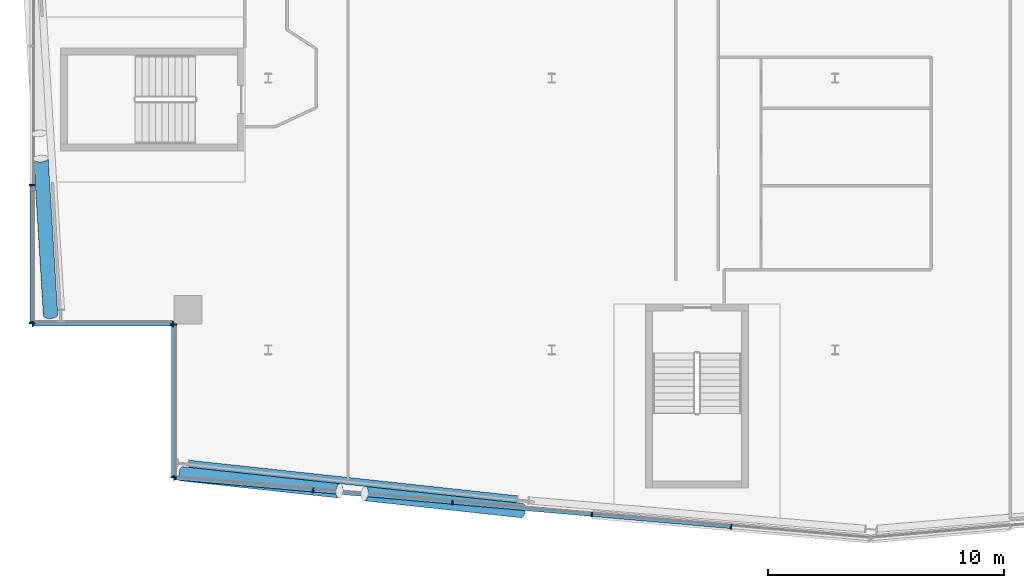
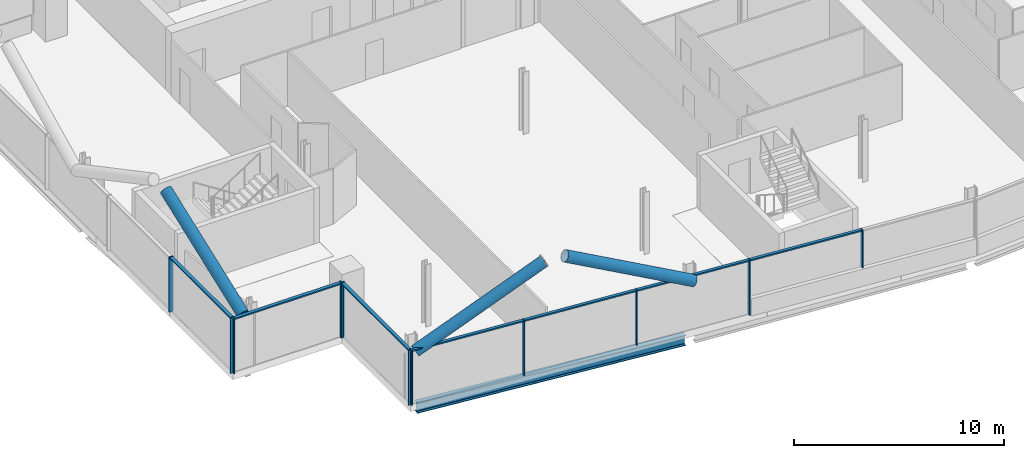
# One storey, part 5 of 25: 21 members, 1 beam, 4 elements without a shape of their own.
"""IFC4 building model written with IfcOpenShell, lengths in metres."""

from ifc_helpers import new_model, si_unit, direction, frame, origin, origin_2d, place, context, subcontext, project, spatial, rectangle, hollow_circle, i_section, extrude, material, material_profile, profile_set, type_object, element, aggregate, save


model = new_model("IFC4")

# Units and contexts
model_context = context("Model", 3, precision=1e-05, world=origin(), true_north=direction((0.0, 1.0)))
body_context = subcontext(model_context, "Body", "Model", "MODEL_VIEW")
ifc_project = project(units=[si_unit("LENGTHUNIT", "METRE"), si_unit("AREAUNIT", "SQUARE_METRE"), si_unit("VOLUMEUNIT", "CUBIC_METRE"), si_unit("PLANEANGLEUNIT", "RADIAN"), si_unit("MASSUNIT", "GRAM", prefix="KILO")], contexts=[model_context])

# Site, building, storey
site_placement = place(None, origin())
site = spatial("IfcSite", under=ifc_project, at=site_placement, CompositionType="ELEMENT")
building_placement = place(site_placement, origin())
building = spatial("IfcBuilding", under=site, at=building_placement, Name="Wharfspan Tower", CompositionType="ELEMENT")
storey_placement = place(building_placement, frame((0.0, 0.0, 232.300049)))
storey = spatial("IfcBuildingStorey", under=building, at=storey_placement, Name="L58", CompositionType="ELEMENT", Elevation=232.300049)

# Beam
ifc_material_1 = material(Name="Steel S355J2", Category="steel")
ifc_material_profile_1 = material_profile(ifc_material_1, i_section(OverallWidth=0.300049, OverallDepth=0.600098, WebThickness=0.015381, FlangeThickness=0.030029, FilletRadius=0.0271, at=origin_2d()))
ifc_profile_set_1 = profile_set([ifc_material_profile_1], Name="Steel S355J2")
beam_type = type_object("IfcBeamType", Name="Edge beam HEB 600", PredefinedType="SPANDREL", material=ifc_profile_set_1)
beam_placement = place(storey_placement, frame((20.648682, 6.674805, -0.699951), z_axis=(0.99418, -0.107732, 0.0), x_axis=(0.107732, 0.99418, 0.0)))
element("IfcBeam", 1, at=beam_placement, inside=storey, type_object=beam_type, Name="Edge beam S1 L58 PS1.1 to PS1.2", PredefinedType="SPANDREL", context=body_context, shape_type="SweptSolid", body=[
    extrude(i_section(OverallWidth=0.300049, OverallDepth=0.600098, WebThickness=0.015381, FlangeThickness=0.030029, FilletRadius=0.0271, at=origin_2d()), origin(), (0.0, 0.0, 1.0), 13.95752),
])

# Curtain wall, members
ifc_material_2 = material(Name="Aluminium 6063-T6", Category="aluminium")
curtain_wall_type_1 = type_object("IfcCurtainWallType", Name="CURTAIN WALL FACETED FRONT", PredefinedType="NOTDEFINED", material=ifc_material_2)
curtain_wall_1_placement = place(storey_placement, origin())
curtain_wall_1 = element("IfcCurtainWall", 2, at=curtain_wall_1_placement, inside=storey, type_object=curtain_wall_type_1, Name="Curtain wall S1", PredefinedType="NOTDEFINED")
ifc_material_profile_2 = material_profile(ifc_material_2, rectangle(XDim=0.199951, YDim=0.060059, at=origin_2d()))
ifc_profile_set_2 = profile_set([ifc_material_profile_2], Name="Aluminium 6063-T6")
member_type_1 = type_object("IfcMemberType", Name="MULLION FACETED FRONT 60x200", PredefinedType="MULLION", material=ifc_profile_set_2)
member_1_placement = place(storey_placement, frame((20.029785, 6.07251, 0.0), z_axis=(0.0, 0.0, 1.0), x_axis=(0.087156, 0.996197, 0.0)))
member_1 = element("IfcMember", 3, at=member_1_placement, type_object=member_type_1, Name="Curtain wall S1 mullion 1", PredefinedType="MULLION", context=body_context, shape_type="SweptSolid", body=[
    extrude(rectangle(XDim=0.199951, YDim=0.060059, at=origin_2d()), origin(), (0.0, 0.0, 1.0), 3.199951),
])
member_2_placement = place(storey_placement, frame((25.899902, 5.558838, 0.0), z_axis=(0.0, 0.0, 1.0), x_axis=(0.087156, 0.996197, 0.0)))
member_2 = element("IfcMember", 4, at=member_2_placement, type_object=member_type_1, Name="Curtain wall S1 mullion 2", PredefinedType="MULLION", context=body_context, shape_type="SweptSolid", body=[
    extrude(rectangle(XDim=0.199951, YDim=0.060059, at=origin_2d()), origin(), (0.0, 0.0, 1.0), 3.199951),
])
member_3_placement = place(storey_placement, frame((31.800049, 5.042725, 0.0), z_axis=(0.0, 0.0, 1.0), x_axis=(0.087156, 0.996197, 0.0)))
member_3 = element("IfcMember", 5, at=member_3_placement, type_object=member_type_1, Name="Curtain wall S1 mullion 3", PredefinedType="MULLION", context=body_context, shape_type="SweptSolid", body=[
    extrude(rectangle(XDim=0.199951, YDim=0.060059, at=origin_2d()), origin(), (0.0, 0.0, 1.0), 3.199951),
])
member_4_placement = place(storey_placement, frame((37.699951, 4.526611, 0.0), z_axis=(0.0, 0.0, 1.0), x_axis=(0.087156, 0.996197, 0.0)))
member_4 = element("IfcMember", 6, at=member_4_placement, type_object=member_type_1, Name="Curtain wall S1 mullion 4", PredefinedType="MULLION", context=body_context, shape_type="SweptSolid", body=[
    extrude(rectangle(XDim=0.199951, YDim=0.060059, at=origin_2d()), origin(), (0.0, 0.0, 1.0), 3.199951),
])
member_5_placement = place(storey_placement, frame((43.600098, 4.010254, 1.0), z_axis=(0.0, 0.0, 1.0), x_axis=(0.087156, 0.996197, 0.0)))
member_5 = element("IfcMember", 7, at=member_5_placement, type_object=member_type_1, Name="Curtain wall S1 mullion 5", PredefinedType="MULLION", context=body_context, shape_type="SweptSolid", body=[
    extrude(rectangle(XDim=0.199951, YDim=0.060059, at=origin_2d()), origin(), (0.0, 0.0, 1.0), 2.199951),
])

curtain_wall_type_2 = type_object("IfcCurtainWallType", Name="CURTAIN WALL PROW AND END", PredefinedType="NOTDEFINED", material=ifc_material_2)
curtain_wall_2_placement = place(storey_placement, origin())
curtain_wall_2 = element("IfcCurtainWall", 8, at=curtain_wall_2_placement, inside=storey, type_object=curtain_wall_type_2, Name="Curtain wall W", PredefinedType="NOTDEFINED")
ifc_material_profile_3 = material_profile(ifc_material_2, rectangle(XDim=0.23999, YDim=0.060059, at=origin_2d()))
ifc_profile_set_3 = profile_set([ifc_material_profile_3], Name="Aluminium 6063-T6")
member_type_2 = type_object("IfcMemberType", Name="MULLION PROW AND END 60x240", PredefinedType="MULLION", material=ifc_profile_set_3)
member_6_placement = place(storey_placement, frame((14.0, 18.47998, 0.0), z_axis=(0.0, 0.0, 1.0), x_axis=(1.0, 0.0, 0.0)))
member_6 = element("IfcMember", 9, at=member_6_placement, type_object=member_type_2, Name="Curtain wall W mullion 5", PredefinedType="MULLION", context=body_context, shape_type="SweptSolid", body=[
    extrude(rectangle(XDim=0.23999, YDim=0.060059, at=origin_2d()), origin(), (0.0, 0.0, 1.0), 3.199951),
])
member_7_placement = place(storey_placement, frame((14.0, 12.629883, 0.0), z_axis=(0.0, 0.0, 1.0), x_axis=(1.0, 0.0, 0.0)))
member_7 = element("IfcMember", 10, at=member_7_placement, type_object=member_type_2, Name="Curtain wall W mullion 6", PredefinedType="MULLION", context=body_context, shape_type="SweptSolid", body=[
    extrude(rectangle(XDim=0.23999, YDim=0.060059, at=origin_2d()), origin(), (0.0, 0.0, 1.0), 3.199951),
])

curtain_wall_3_placement = place(storey_placement, origin())
curtain_wall_3 = element("IfcCurtainWall", 11, at=curtain_wall_3_placement, inside=storey, type_object=curtain_wall_type_2, Name="Curtain wall NFW-H", PredefinedType="NOTDEFINED")
member_8_placement = place(storey_placement, frame((14.030029, 12.600098, 0.0), z_axis=(0.0, 0.0, 1.0), x_axis=(0.0, 1.0, 0.0)))
member_8 = element("IfcMember", 12, at=member_8_placement, type_object=member_type_2, Name="Curtain wall NFW-H mullion 1", PredefinedType="MULLION", context=body_context, shape_type="SweptSolid", body=[
    extrude(rectangle(XDim=0.23999, YDim=0.060059, at=origin_2d()), origin(), (0.0, 0.0, 1.0), 3.199951),
])
member_9_placement = place(storey_placement, frame((19.969971, 12.600098, 0.0), z_axis=(0.0, 0.0, 1.0), x_axis=(0.0, 1.0, 0.0)))
member_9 = element("IfcMember", 13, at=member_9_placement, type_object=member_type_2, Name="Curtain wall NFW-H mullion 2", PredefinedType="MULLION", context=body_context, shape_type="SweptSolid", body=[
    extrude(rectangle(XDim=0.23999, YDim=0.060059, at=origin_2d()), origin(), (0.0, 0.0, 1.0), 3.199951),
])

curtain_wall_4_placement = place(storey_placement, origin())
curtain_wall_4 = element("IfcCurtainWall", 14, at=curtain_wall_4_placement, inside=storey, type_object=curtain_wall_type_2, Name="Curtain wall NFW-V", PredefinedType="NOTDEFINED")
member_10_placement = place(storey_placement, frame((20.0, 12.570068, 0.0), z_axis=(0.0, 0.0, 1.0), x_axis=(1.0, 0.0, 0.0)))
member_10 = element("IfcMember", 15, at=member_10_placement, type_object=member_type_2, Name="Curtain wall NFW-V mullion 1", PredefinedType="MULLION", context=body_context, shape_type="SweptSolid", body=[
    extrude(rectangle(XDim=0.23999, YDim=0.060059, at=origin_2d()), origin(), (0.0, 0.0, 1.0), 3.199951),
])
member_11_placement = place(storey_placement, frame((20.0, 6.10498, 0.0), z_axis=(0.0, 0.0, 1.0), x_axis=(1.0, 0.0, 0.0)))
member_11 = element("IfcMember", 16, at=member_11_placement, type_object=member_type_2, Name="Curtain wall NFW-V mullion 2", PredefinedType="MULLION", context=body_context, shape_type="SweptSolid", body=[
    extrude(rectangle(XDim=0.23999, YDim=0.060059, at=origin_2d()), origin(), (0.0, 0.0, 1.0), 3.199951),
])

# Members
ifc_material_3 = material(Name="Steel S460NH", Category="steel")
ifc_material_profile_4 = material_profile(ifc_material_3, hollow_circle(Radius=0.304932, WallThickness=0.024902, at=origin_2d()))
ifc_profile_set_4 = profile_set([ifc_material_profile_4], Name="Steel S460NH")
member_type_3 = type_object("IfcMemberType", Name="Mega brace CHS 610x25", PredefinedType="BRACE", material=ifc_profile_set_4)
for number, where, z_axis, x_axis, name in (
    (17, (20.352539, 6.249268, 2.899902), (0.890126, -0.09646, 0.445389), (0.107737, 0.99418, -2e-06), "Mega brace S1 L59 part 1"),
    (18, (34.741699, 4.689941, 2.899902), (-0.890126, 0.09646, 0.445389), (-0.107737, -0.99418, -2e-06), "Mega brace S1 L59 part 3"),
):
    element("IfcMember", number, at=place(storey_placement, frame(where, z_axis=z_axis, x_axis=x_axis)), inside=storey, type_object=member_type_3, Name=name, PredefinedType="BRACE", context=body_context, shape_type="SweptSolid", body=[
        extrude(hollow_circle(Radius=0.304932, WallThickness=0.024902, at=origin_2d()), origin(), (0.0, 0.0, 1.0), 7.474121),
    ])
member_12_placement = place(storey_placement, frame((14.782715, 12.963379, 2.899902), z_axis=(-0.054615, 0.892302, 0.448123), x_axis=(-0.998132, -0.061091, -3e-06)))
element("IfcMember", 19, at=member_12_placement, inside=storey, type_object=member_type_3, Name="Mega brace W4 L59 part 3", PredefinedType="BRACE", context=body_context, shape_type="SweptSolid", body=[
    extrude(hollow_circle(Radius=0.304932, WallThickness=0.024902, at=origin_2d()), origin(), (0.0, 0.0, 1.0), 7.429443),
])

# Member
ifc_material_profile_5 = material_profile(ifc_material_2, rectangle(XDim=0.159912, YDim=0.080078, at=origin_2d()))
ifc_profile_set_5 = profile_set([ifc_material_profile_5], Name="Aluminium 6063-T6")
member_type_4 = type_object("IfcMemberType", Name="TRANSOM FACETED FRONT 80x160", PredefinedType="USERDEFINED", material=ifc_profile_set_5)
member_13_placement = place(storey_placement, frame((20.059814, 6.069824, 3.159912), z_axis=(0.996195, -0.08715, 0.0), x_axis=(0.08715, 0.996195, 0.0)))
member_13 = element("IfcMember", 20, at=member_13_placement, type_object=member_type_4, Name="Curtain wall S1 transom 1", ObjectType="TRANSOM", PredefinedType="USERDEFINED", context=body_context, shape_type="SweptSolid", body=[
    extrude(rectangle(XDim=0.159912, YDim=0.080078, at=origin_2d()), origin(), (0.0, 0.0, 1.0), 5.83252),
])

member_14_placement = place(storey_placement, frame((25.929932, 5.556152, 3.159912), z_axis=(0.996198, -0.087122, 0.0), x_axis=(0.087122, 0.996198, 0.0)))
member_14 = element("IfcMember", 21, at=member_14_placement, type_object=member_type_4, Name="Curtain wall S1 transom 2", ObjectType="TRANSOM", PredefinedType="USERDEFINED", context=body_context, shape_type="SweptSolid", body=[
    extrude(rectangle(XDim=0.159912, YDim=0.080078, at=origin_2d()), origin(), (0.0, 0.0, 1.0), 5.862305),
])

member_15_placement = place(storey_placement, frame((31.829834, 5.040039, 3.159912), z_axis=(0.996194, -0.08716, 0.0), x_axis=(0.08716, 0.996194, 0.0)))
member_15 = element("IfcMember", 22, at=member_15_placement, type_object=member_type_4, Name="Curtain wall S1 transom 3", ObjectType="TRANSOM", PredefinedType="USERDEFINED", context=body_context, shape_type="SweptSolid", body=[
    extrude(rectangle(XDim=0.159912, YDim=0.080078, at=origin_2d()), origin(), (0.0, 0.0, 1.0), 5.862549),
])

member_16_placement = place(storey_placement, frame((37.72998, 4.523926, 3.159912), z_axis=(0.996194, -0.087163, 0.0), x_axis=(0.087163, 0.996194, 0.0)))
member_16 = element("IfcMember", 23, at=member_16_placement, type_object=member_type_4, Name="Curtain wall S1 transom 4", ObjectType="TRANSOM", PredefinedType="USERDEFINED", context=body_context, shape_type="SweptSolid", body=[
    extrude(rectangle(XDim=0.159912, YDim=0.080078, at=origin_2d()), origin(), (0.0, 0.0, 1.0), 5.862305),
])

aggregate(curtain_wall_1, [member_1, member_2, member_3, member_4, member_5, member_13, member_14, member_15, member_16])

ifc_material_profile_6 = material_profile(ifc_material_2, rectangle(XDim=0.179932, YDim=0.080078, at=origin_2d()))
ifc_profile_set_6 = profile_set([ifc_material_profile_6], Name="Aluminium 6063-T6")
member_type_5 = type_object("IfcMemberType", Name="TRANSOM PROW AND END 80x180", PredefinedType="USERDEFINED", material=ifc_profile_set_6)
member_17_placement = place(storey_placement, frame((14.0, 18.449951, 3.159912), z_axis=(0.0, -1.0, 0.0), x_axis=(1.0, 0.0, 0.0)))
member_17 = element("IfcMember", 24, at=member_17_placement, type_object=member_type_5, Name="Curtain wall W transom 5", ObjectType="TRANSOM", PredefinedType="USERDEFINED", context=body_context, shape_type="SweptSolid", body=[
    extrude(rectangle(XDim=0.179932, YDim=0.080078, at=origin_2d()), origin(), (0.0, 0.0, 1.0), 5.790039),
])

aggregate(curtain_wall_2, [member_6, member_7, member_17])

member_18_placement = place(storey_placement, frame((14.060059, 12.600098, 3.159912), z_axis=(1.0, 0.0, 0.0), x_axis=(0.0, 1.0, 0.0)))
member_18 = element("IfcMember", 25, at=member_18_placement, type_object=member_type_5, Name="Curtain wall NFW-H transom 1", ObjectType="TRANSOM", PredefinedType="USERDEFINED", context=body_context, shape_type="SweptSolid", body=[
    extrude(rectangle(XDim=0.179932, YDim=0.080078, at=origin_2d()), origin(), (0.0, 0.0, 1.0), 5.879883),
])

aggregate(curtain_wall_3, [member_8, member_9, member_18])

member_19_placement = place(storey_placement, frame((20.0, 12.540039, 3.159912), z_axis=(0.0, -1.0, 0.0), x_axis=(1.0, 0.0, 0.0)))
member_19 = element("IfcMember", 26, at=member_19_placement, type_object=member_type_5, Name="Curtain wall NFW-V transom 1", ObjectType="TRANSOM", PredefinedType="USERDEFINED", context=body_context, shape_type="SweptSolid", body=[
    extrude(rectangle(XDim=0.179932, YDim=0.080078, at=origin_2d()), origin(), (0.0, 0.0, 1.0), 6.405029),
])

aggregate(curtain_wall_4, [member_10, member_11, member_19])

save(model, "model.ifc")
